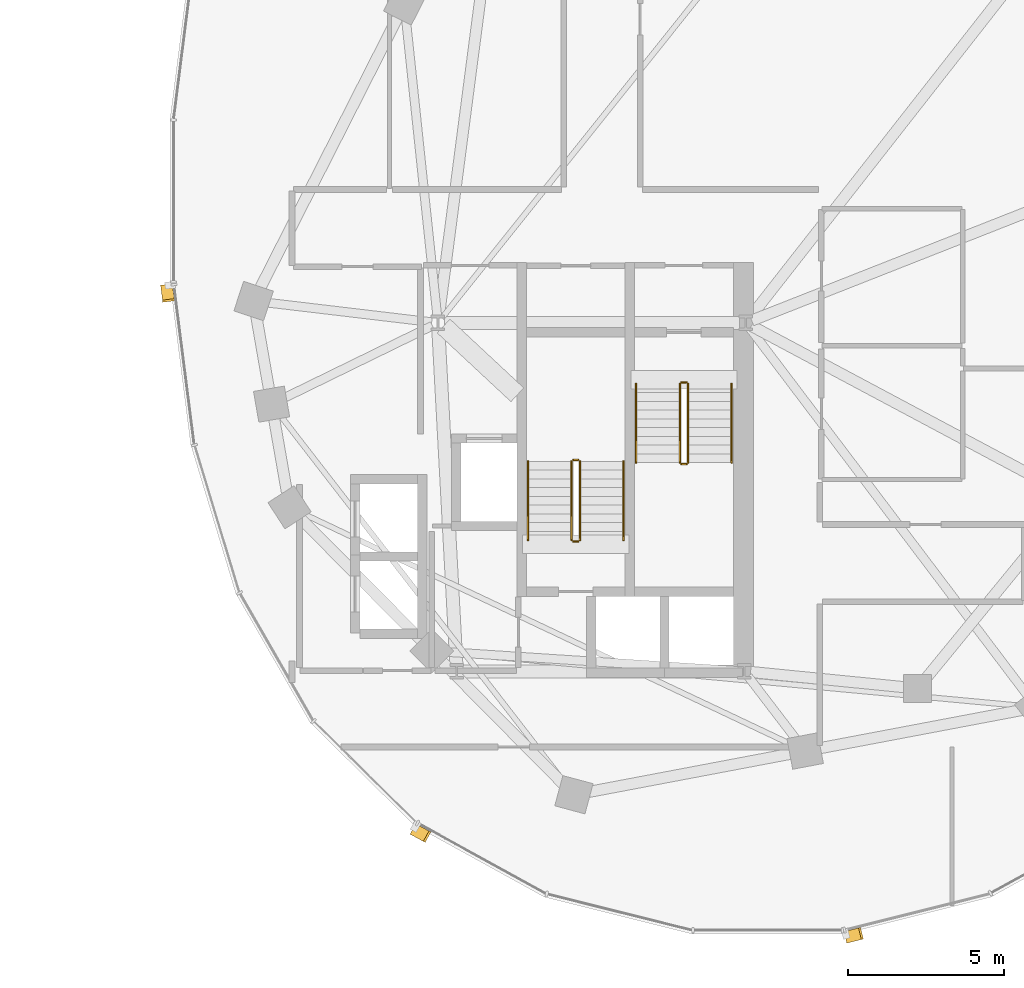
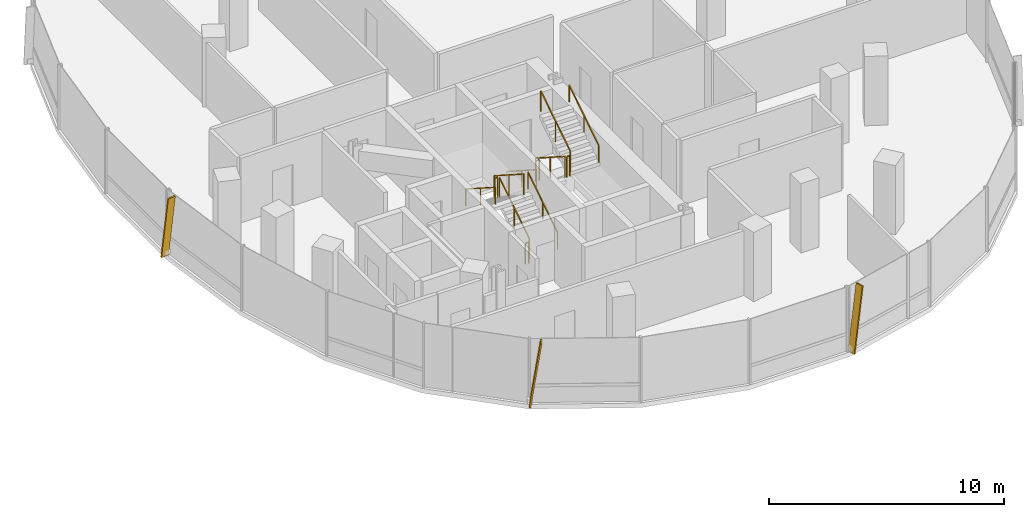
# One storey, part 21 of 22: 12 railings, 3 shading devices.
"""IFC4 building model written with IfcOpenShell, lengths in metres."""

from ifc_helpers import new_model, si_unit, direction, frame, origin, origin_2d, place, context, subcontext, project, spatial, rectangle, extrude, material, material_profile, profile_set, type_object, element, save


model = new_model("IFC4")

# Units and contexts
model_context = context("Model", 3, precision=1e-05, world=origin(), true_north=direction((0.0, 1.0)))
body_context = subcontext(model_context, "Body", "Model", "MODEL_VIEW")
ifc_project = project(units=[si_unit("LENGTHUNIT", "METRE"), si_unit("AREAUNIT", "SQUARE_METRE"), si_unit("VOLUMEUNIT", "CUBIC_METRE"), si_unit("PLANEANGLEUNIT", "RADIAN"), si_unit("MASSUNIT", "GRAM", prefix="KILO"), si_unit("THERMODYNAMICTEMPERATUREUNIT", "KELVIN"), si_unit("POWERUNIT", "WATT")], contexts=[model_context])

# Site, building, storey
site_placement = place(None, origin())
site = spatial("IfcSite", under=ifc_project, at=site_placement, CompositionType="ELEMENT")
building_placement = place(site_placement, origin())
building = spatial("IfcBuilding", under=site, at=building_placement, Name="Cundina Bronze Exchange", CompositionType="ELEMENT")
storey_placement = place(building_placement, frame((0.0, 0.0, 140.39990234375)))
storey = spatial("IfcBuildingStorey", under=building, at=storey_placement, Name="L36", CompositionType="ELEMENT", Elevation=140.39990234375)

# Railings
ifc_material_1 = material(Name="Steel ASTM A36 Painted", Category="steel")
railing_type_1 = type_object("IfcRailingType", Name="RLG-HND-900", PredefinedType="HANDRAIL", material=ifc_material_1)
railing_1_placement = place(storey_placement, frame((27.7900390625, -5.85009765625, 0.18017578125)))
element("IfcRailing", 1, at=railing_1_placement, inside=storey, type_object=railing_type_1, Name="L36 ST-E1 stair handrail 1", PredefinedType="HANDRAIL", context=body_context, shape_type="SweptSolid", body=[
    extrude(rectangle(XDim=0.048095703125, YDim=0.048095703125, at=origin_2d()), frame((0.0, 0.0, 0.8759765625), z_axis=(0.0, -0.841199657755, 0.540724639528), x_axis=(1.0, 0.0, 0.0)), (0.0, 0.0, 1.0), 2.995849609375),
    extrude(rectangle(XDim=0.0419921875, YDim=0.0419921875, at=origin_2d()), origin(), (0.0, 0.0, 1.0), 0.851806640625),
    extrude(rectangle(XDim=0.0419921875, YDim=0.0419921875, at=origin_2d()), frame((0.0, -1.260009765625, 0.81005859375)), (0.0, 0.0, 1.0), 0.851806640625),
    extrude(rectangle(XDim=0.0419921875, YDim=0.0419921875, at=origin_2d()), frame((0.0, -2.52001953125, 1.619873046875)), (0.0, 0.0, 1.0), 0.851806640625),
])
railing_2_placement = place(storey_placement, frame((30.85009765625, -8.3701171875, 1.97998046875)))
element("IfcRailing", 2, at=railing_2_placement, inside=storey, type_object=railing_type_1, Name="L36 ST-E1 stair handrail 2", PredefinedType="HANDRAIL", context=body_context, shape_type="SweptSolid", body=[
    extrude(rectangle(XDim=0.048095703125, YDim=0.048095703125, at=origin_2d()), frame((0.0, 0.0, 0.8759765625), z_axis=(0.0, 0.841162588446, 0.540782303519), x_axis=(-1.0, 0.0, 0.0)), (0.0, 0.0, 1.0), 2.995849609375),
    extrude(rectangle(XDim=0.0419921875, YDim=0.0419921875, at=origin_2d()), origin(), (0.0, 0.0, 1.0), 0.851806640625),
    extrude(rectangle(XDim=0.0419921875, YDim=0.0419921875, at=origin_2d()), frame((0.0, 1.260009765625, 0.81005859375)), (0.0, 0.0, 1.0), 0.851806640625),
    extrude(rectangle(XDim=0.0419921875, YDim=0.0419921875, at=origin_2d()), frame((0.0, 2.52001953125, 1.6201171875)), (0.0, 0.0, 1.0), 0.851806640625),
])
railing_3_placement = place(storey_placement, frame((27.389892578125, -10.85009765625, 0.18017578125)))
element("IfcRailing", 3, at=railing_3_placement, inside=storey, type_object=railing_type_1, Name="L36 ST-E2 stair handrail 1", PredefinedType="HANDRAIL", context=body_context, shape_type="SweptSolid", body=[
    extrude(rectangle(XDim=0.048095703125, YDim=0.048095703125, at=origin_2d()), frame((0.0, 0.0, 0.8759765625), z_axis=(0.0, 0.841199657755, 0.540724639528), x_axis=(-1.0, 0.0, 0.0)), (0.0, 0.0, 1.0), 2.995849609375),
    extrude(rectangle(XDim=0.0419921875, YDim=0.0419921875, at=origin_2d()), origin(), (0.0, 0.0, 1.0), 0.851806640625),
    extrude(rectangle(XDim=0.0419921875, YDim=0.0419921875, at=origin_2d()), frame((0.0, 1.260009765625, 0.81005859375)), (0.0, 0.0, 1.0), 0.851806640625),
    extrude(rectangle(XDim=0.0419921875, YDim=0.0419921875, at=origin_2d()), frame((0.0, 2.52001953125, 1.619873046875)), (0.0, 0.0, 1.0), 0.851806640625),
])
railing_4_placement = place(storey_placement, frame((24.330078125, -8.330078125, 1.97998046875)))
element("IfcRailing", 4, at=railing_4_placement, inside=storey, type_object=railing_type_1, Name="L36 ST-E2 stair handrail 2", PredefinedType="HANDRAIL", context=body_context, shape_type="SweptSolid", body=[
    extrude(rectangle(XDim=0.048095703125, YDim=0.048095703125, at=origin_2d()), frame((0.0, 0.0, 0.8759765625), z_axis=(0.0, -0.841162588446, 0.540782303519), x_axis=(1.0, 0.0, 0.0)), (0.0, 0.0, 1.0), 2.995849609375),
    extrude(rectangle(XDim=0.0419921875, YDim=0.0419921875, at=origin_2d()), origin(), (0.0, 0.0, 1.0), 0.851806640625),
    extrude(rectangle(XDim=0.0419921875, YDim=0.0419921875, at=origin_2d()), frame((0.0, -1.260009765625, 0.81005859375)), (0.0, 0.0, 1.0), 0.851806640625),
    extrude(rectangle(XDim=0.0419921875, YDim=0.0419921875, at=origin_2d()), frame((0.0, -2.52001953125, 1.6201171875)), (0.0, 0.0, 1.0), 0.851806640625),
])
railing_type_2 = type_object("IfcRailingType", Name="RLG-STG-1100", PredefinedType="GUARDRAIL", material=ifc_material_1)
railing_5_placement = place(storey_placement, frame((29.18994140625, -5.85009765625, 0.18017578125)))
element("IfcRailing", 5, at=railing_5_placement, inside=storey, type_object=railing_type_2, Name="L36 ST-E1 stair guard 1", PredefinedType="GUARDRAIL", context=body_context, shape_type="SweptSolid", body=[
    extrude(rectangle(XDim=0.048095703125, YDim=0.048095703125, at=origin_2d()), frame((0.0, 0.0, 1.076171875), z_axis=(0.0, -0.841199657755, 0.540724639528), x_axis=(1.0, 0.0, 0.0)), (0.0, 0.0, 1.0), 2.995849609375),
    extrude(rectangle(XDim=0.0419921875, YDim=0.0419921875, at=origin_2d()), origin(), (0.0, 0.0, 1.0), 1.052001953125),
    extrude(rectangle(XDim=0.0419921875, YDim=0.0419921875, at=origin_2d()), frame((0.0, -1.260009765625, 0.81005859375)), (0.0, 0.0, 1.0), 1.052001953125),
    extrude(rectangle(XDim=0.0419921875, YDim=0.0419921875, at=origin_2d()), frame((0.0, -2.52001953125, 1.619873046875)), (0.0, 0.0, 1.0), 1.052001953125),
])
railing_6_placement = place(storey_placement, frame((29.239990234375, -8.419921875, 1.800048828125)))
element("IfcRailing", 6, at=railing_6_placement, inside=storey, type_object=railing_type_2, Name="L36 ST-E1 stair guard 2", PredefinedType="GUARDRAIL", context=body_context, shape_type="SweptSolid", body=[
    extrude(rectangle(XDim=0.048095703125, YDim=0.048095703125, at=origin_2d()), frame((0.0, 0.0, 1.076171875), z_axis=(1.0, 0.0, 0.0), x_axis=(0.0, 1.0, 0.0)), (0.0, 0.0, 1.0), 0.159912109375),
    extrude(rectangle(XDim=0.0419921875, YDim=0.0419921875, at=origin_2d()), origin(), (0.0, 0.0, 1.0), 1.052001953125),
    extrude(rectangle(XDim=0.0419921875, YDim=0.0419921875, at=origin_2d()), frame((0.159912109375, 0.0, 0.0)), (0.0, 0.0, 1.0), 1.052001953125),
])
railing_7_placement = place(storey_placement, frame((29.449951171875, -8.3701171875, 1.97998046875)))
element("IfcRailing", 7, at=railing_7_placement, inside=storey, type_object=railing_type_2, Name="L36 ST-E1 stair guard 3", PredefinedType="GUARDRAIL", context=body_context, shape_type="SweptSolid", body=[
    extrude(rectangle(XDim=0.048095703125, YDim=0.048095703125, at=origin_2d()), frame((0.0, 0.0, 1.076171875), z_axis=(0.0, 0.841162588446, 0.540782303519), x_axis=(-1.0, 0.0, 0.0)), (0.0, 0.0, 1.0), 2.995849609375),
    extrude(rectangle(XDim=0.0419921875, YDim=0.0419921875, at=origin_2d()), origin(), (0.0, 0.0, 1.0), 1.052001953125),
    extrude(rectangle(XDim=0.0419921875, YDim=0.0419921875, at=origin_2d()), frame((0.0, 1.260009765625, 0.81005859375)), (0.0, 0.0, 1.0), 1.052001953125),
    extrude(rectangle(XDim=0.0419921875, YDim=0.0419921875, at=origin_2d()), frame((0.0, 2.52001953125, 1.6201171875)), (0.0, 0.0, 1.0), 1.052001953125),
])
railing_8_placement = place(storey_placement, frame((29.239990234375, -5.800048828125, 0.0)))
element("IfcRailing", 8, at=railing_8_placement, inside=storey, type_object=railing_type_2, Name="L36 ST-E1 stair guard 4", PredefinedType="GUARDRAIL", context=body_context, shape_type="SweptSolid", body=[
    extrude(rectangle(XDim=0.048095703125, YDim=0.048095703125, at=origin_2d()), frame((0.0, 0.0, 1.076171875), z_axis=(1.0, 0.0, 0.0), x_axis=(0.0, 1.0, 0.0)), (0.0, 0.0, 1.0), 0.159912109375),
    extrude(rectangle(XDim=0.0419921875, YDim=0.0419921875, at=origin_2d()), origin(), (0.0, 0.0, 1.0), 1.052001953125),
    extrude(rectangle(XDim=0.0419921875, YDim=0.0419921875, at=origin_2d()), frame((0.159912109375, 0.0, 0.0)), (0.0, 0.0, 1.0), 1.052001953125),
])
railing_9_placement = place(storey_placement, frame((25.989990234375, -10.85009765625, 0.18017578125)))
element("IfcRailing", 9, at=railing_9_placement, inside=storey, type_object=railing_type_2, Name="L36 ST-E2 stair guard 1", PredefinedType="GUARDRAIL", context=body_context, shape_type="SweptSolid", body=[
    extrude(rectangle(XDim=0.048095703125, YDim=0.048095703125, at=origin_2d()), frame((0.0, 0.0, 1.076171875), z_axis=(0.0, 0.841199657755, 0.540724639528), x_axis=(-1.0, 0.0, 0.0)), (0.0, 0.0, 1.0), 2.995849609375),
    extrude(rectangle(XDim=0.0419921875, YDim=0.0419921875, at=origin_2d()), origin(), (0.0, 0.0, 1.0), 1.052001953125),
    extrude(rectangle(XDim=0.0419921875, YDim=0.0419921875, at=origin_2d()), frame((0.0, 1.260009765625, 0.81005859375)), (0.0, 0.0, 1.0), 1.052001953125),
    extrude(rectangle(XDim=0.0419921875, YDim=0.0419921875, at=origin_2d()), frame((0.0, 2.52001953125, 1.619873046875)), (0.0, 0.0, 1.0), 1.052001953125),
])
railing_10_placement = place(storey_placement, frame((25.93994140625, -8.280029296875, 1.800048828125)))
element("IfcRailing", 10, at=railing_10_placement, inside=storey, type_object=railing_type_2, Name="L36 ST-E2 stair guard 2", PredefinedType="GUARDRAIL", context=body_context, shape_type="SweptSolid", body=[
    extrude(rectangle(XDim=0.048095703125, YDim=0.048095703125, at=origin_2d()), frame((0.0, 0.0, 1.076171875), z_axis=(-1.0, 0.0, 0.0), x_axis=(0.0, -1.0, 0.0)), (0.0, 0.0, 1.0), 0.159912109375),
    extrude(rectangle(XDim=0.0419921875, YDim=0.0419921875, at=origin_2d()), origin(), (0.0, 0.0, 1.0), 1.052001953125),
    extrude(rectangle(XDim=0.0419921875, YDim=0.0419921875, at=origin_2d()), frame((-0.159912109375, 0.0, 0.0)), (0.0, 0.0, 1.0), 1.052001953125),
])
railing_11_placement = place(storey_placement, frame((25.72998046875, -8.330078125, 1.97998046875)))
element("IfcRailing", 11, at=railing_11_placement, inside=storey, type_object=railing_type_2, Name="L36 ST-E2 stair guard 3", PredefinedType="GUARDRAIL", context=body_context, shape_type="SweptSolid", body=[
    extrude(rectangle(XDim=0.048095703125, YDim=0.048095703125, at=origin_2d()), frame((0.0, 0.0, 1.076171875), z_axis=(0.0, -0.841162588446, 0.540782303519), x_axis=(1.0, 0.0, 0.0)), (0.0, 0.0, 1.0), 2.995849609375),
    extrude(rectangle(XDim=0.0419921875, YDim=0.0419921875, at=origin_2d()), origin(), (0.0, 0.0, 1.0), 1.052001953125),
    extrude(rectangle(XDim=0.0419921875, YDim=0.0419921875, at=origin_2d()), frame((0.0, -1.260009765625, 0.81005859375)), (0.0, 0.0, 1.0), 1.052001953125),
    extrude(rectangle(XDim=0.0419921875, YDim=0.0419921875, at=origin_2d()), frame((0.0, -2.52001953125, 1.6201171875)), (0.0, 0.0, 1.0), 1.052001953125),
])
railing_12_placement = place(storey_placement, frame((25.93994140625, -10.89990234375, 0.0)))
element("IfcRailing", 12, at=railing_12_placement, inside=storey, type_object=railing_type_2, Name="L36 ST-E2 stair guard 4", PredefinedType="GUARDRAIL", context=body_context, shape_type="SweptSolid", body=[
    extrude(rectangle(XDim=0.048095703125, YDim=0.048095703125, at=origin_2d()), frame((0.0, 0.0, 1.076171875), z_axis=(-1.0, 0.0, 0.0), x_axis=(0.0, -1.0, 0.0)), (0.0, 0.0, 1.0), 0.159912109375),
    extrude(rectangle(XDim=0.0419921875, YDim=0.0419921875, at=origin_2d()), origin(), (0.0, 0.0, 1.0), 1.052001953125),
    extrude(rectangle(XDim=0.0419921875, YDim=0.0419921875, at=origin_2d()), frame((-0.159912109375, 0.0, 0.0)), (0.0, 0.0, 1.0), 1.052001953125),
])

# Shading devices
ifc_material_2 = material(Name="Anodised Bronze Aluminium 6063-T6", Category="aluminium")
ifc_material_profile = material_profile(ifc_material_2, rectangle(XDim=0.070068359375, YDim=0.3798828125, at=origin_2d()), Name="FIN70X380", Category="aluminium")
ifc_profile_set = profile_set([ifc_material_profile], Name="Anodised Bronze Aluminium 6063-T6")
shading_device_type = type_object("IfcShadingDeviceType", Name="SHD-FIN-BRZ380", PredefinedType="USERDEFINED", material=ifc_profile_set)
for number, where, z_axis, x_axis, name in (
    (13, (12.76513671875, -2.705810546875, 0.02001953125), (0.018121805099, -0.141917750773, 0.989712560391), (-0.125360789044, 0.981741119016, 0.143070080046), "L36 Diagonal Bronze Solar Fin 1"),
    (14, (20.679931640625, -20.11181640625, 0.02001953125), (0.125324460949, -0.068993954111, 0.989713905017), (-0.867011652888, 0.477309551067, 0.143060778049), "L36 Diagonal Bronze Solar Fin 5"),
    (15, (34.51953125, -23.556396484375, 0.02001953125), (0.138788401144, 0.034715294885, 0.989713407007), (-0.960133415413, -0.240159223467, 0.14306422331), "L36 Diagonal Bronze Solar Fin 1"),
):
    element("IfcShadingDevice", number, at=place(storey_placement, frame(where, z_axis=z_axis, x_axis=x_axis)), inside=storey, type_object=shading_device_type, Name=name, ObjectType="FIN", PredefinedType="USERDEFINED", context=body_context, shape_type="SweptSolid", body=[
        extrude(rectangle(XDim=0.070068359375, YDim=0.3798828125, at=origin_2d()), origin(), (0.0, 0.0, 1.0), 3.3544921875),
    ])

save(model, "model.ifc")
